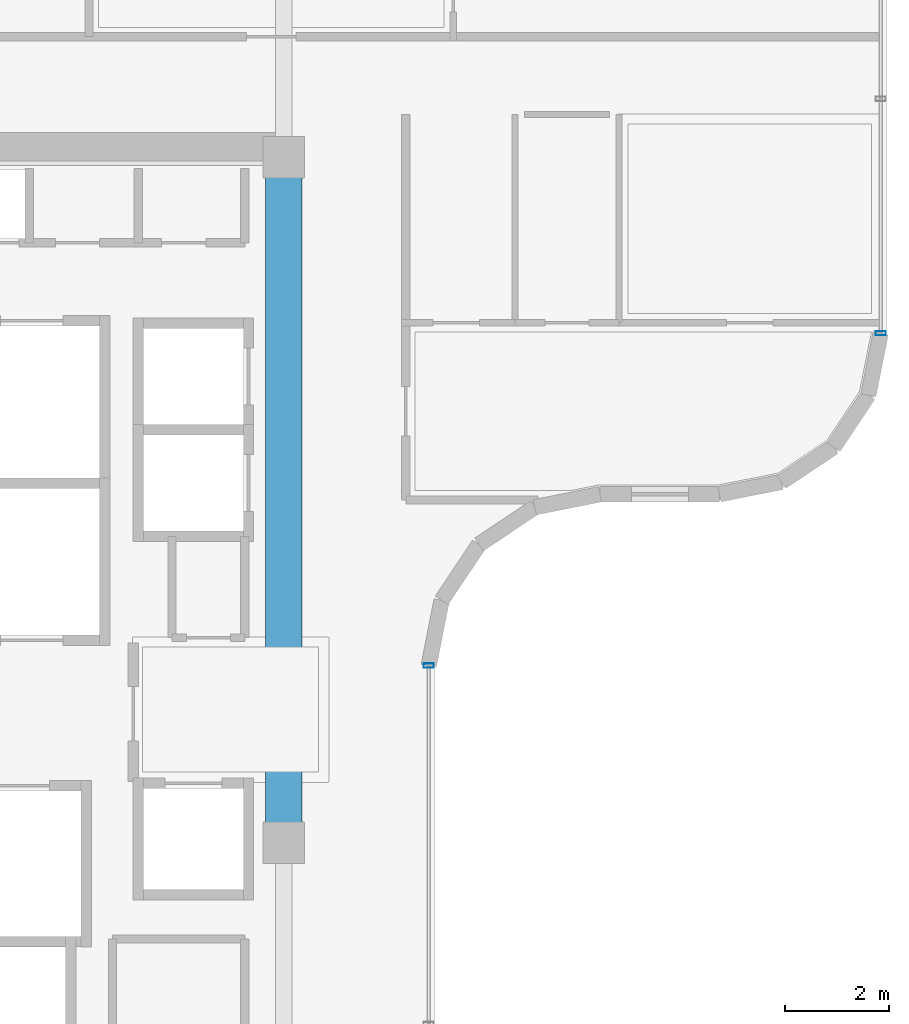
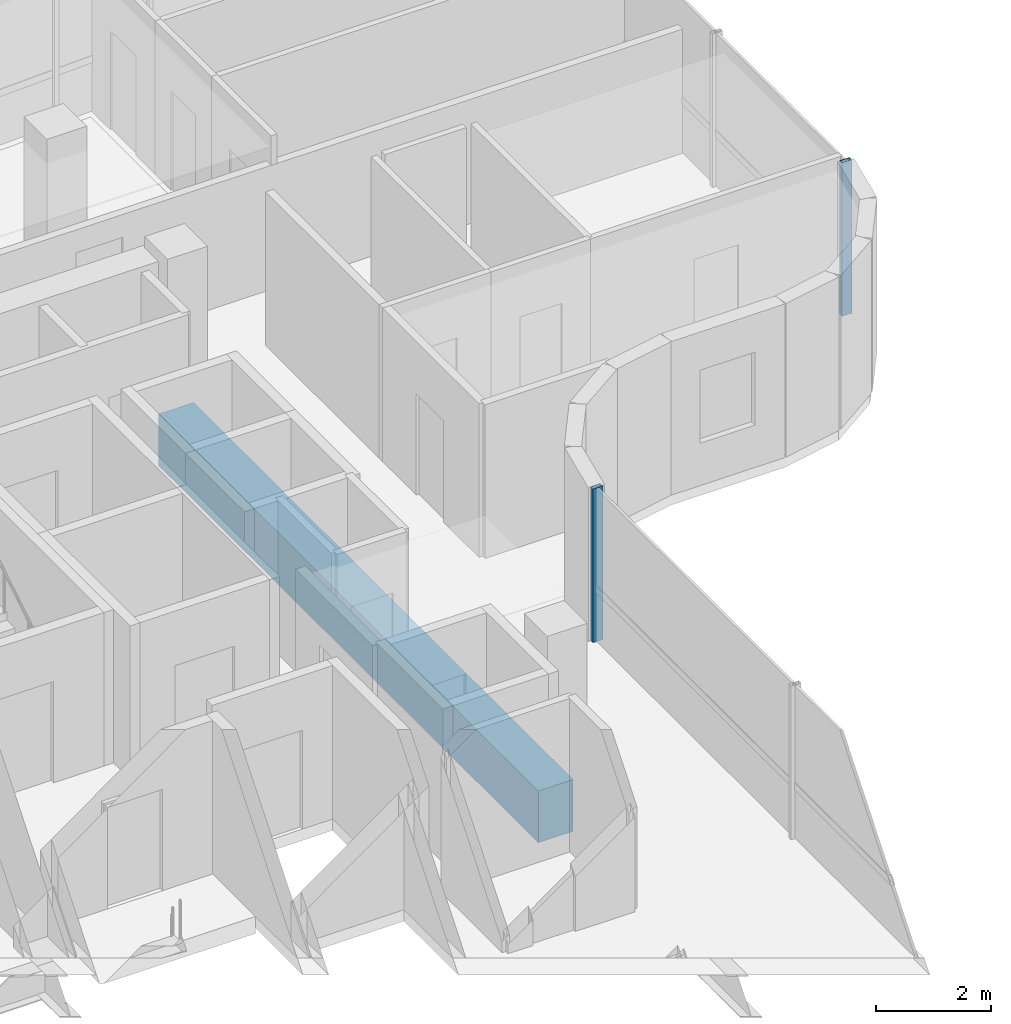
# One storey, part 8 of 19: 2 members, 1 beam, 2 elements without a shape of their own.
"""IFC4 building model written with IfcOpenShell, lengths in metres."""

from ifc_helpers import new_model, si_unit, direction, frame, origin, origin_2d, place, context, subcontext, project, spatial, rectangle, hollow_rectangle, extrude, source, transform, mapped, material, material_profile, profile_set, type_object, element, aggregate, save


model = new_model("IFC4")

# Units and contexts
model_context = context("Model", 3, precision=1e-05, world=origin(), true_north=direction((0.0, 1.0)))
body_context = subcontext(model_context, "Body", "Model", "MODEL_VIEW")
ifc_project = project(units=[si_unit("LENGTHUNIT", "METRE"), si_unit("AREAUNIT", "SQUARE_METRE"), si_unit("VOLUMEUNIT", "CUBIC_METRE"), si_unit("PLANEANGLEUNIT", "RADIAN"), si_unit("MASSUNIT", "GRAM", prefix="KILO")], contexts=[model_context])

# Site, building, storey
site_placement = place(None, origin())
site = spatial("IfcSite", under=ifc_project, at=site_placement, CompositionType="ELEMENT")
building_placement = place(site_placement, origin())
building = spatial("IfcBuilding", under=site, at=building_placement, Name="Valdorenza Pilgrim Sanctuary Tower", CompositionType="ELEMENT")
storey_placement = place(building_placement, frame((0.0, 0.0, 266.0)))
storey = spatial("IfcBuildingStorey", under=building, at=storey_placement, Name="L69", CompositionType="ELEMENT", Elevation=266.0)

# Beam
ifc_material_1 = material(Name="Concrete C50/60", Category="concrete")
ifc_material_profile_1 = material_profile(ifc_material_1, rectangle(XDim=0.699951171875, YDim=1.10009765625, at=origin_2d()), Name="RC 1100x700")
ifc_profile_set_1 = profile_set([ifc_material_profile_1], Name="Concrete C50/60")
beam_type = type_object("IfcBeamType", Name="STR-BM-LNT-1100", PredefinedType="LINTEL", material=ifc_profile_set_1)
shared_shape_1 = source(origin(), body_context, "Body", "SweptSolid", [
    extrude(rectangle(XDim=0.699951171875, YDim=1.10009765625, at=origin_2d()), origin(), (0.0, 0.0, 1.0), 13.2001953125),
])
beam_placement = place(storey_placement, frame((-12.39990234375, -2.60009765625, -0.590087890625), z_axis=(0.0, 1.0, 0.0), x_axis=(-1.0, 0.0, 0.0)))
element("IfcBeam", 1, at=beam_placement, inside=storey, type_object=beam_type, Name="L69 Core A Coupling Lintel Girder", PredefinedType="LINTEL", context=body_context, shape_type="MappedRepresentation", body=[
    mapped(shared_shape_1, transform((0.0, 0.0, 0.0), x_axis=(1.0, 0.0, 0.0), y_axis=(0.0, 1.0, 0.0), z_axis=(0.0, 0.0, 1.0), scale=1.0)),
])

# Curtain wall, member
ifc_material_2 = material(Name="Curtain-wall IGU glazing", Category="glass")
curtain_wall_type = type_object("IfcCurtainWallType", Name="CW-SYS-02", PredefinedType="NOTDEFINED", material=ifc_material_2)
curtain_wall_1_placement = place(storey_placement, origin())
curtain_wall_1 = element("IfcCurtainWall", 2, at=curtain_wall_1_placement, inside=storey, type_object=curtain_wall_type, Name="L69 Curtain Wall CW-L69-1-11", PredefinedType="NOTDEFINED")
ifc_material_3 = material(Name="Anodised aluminium AW-6060", Category="aluminium")
ifc_material_profile_2 = material_profile(ifc_material_3, hollow_rectangle(XDim=0.0849609375, YDim=0.199951171875, WallThickness=0.0048828125, at=origin_2d()), Name="ALU-M 200x85x5")
ifc_profile_set_2 = profile_set([ifc_material_profile_2], Name="Anodised aluminium AW-6060")
member_type = type_object("IfcMemberType", Name="CW-MUL-02", PredefinedType="MULLION", material=ifc_profile_set_2)
shared_shape_2 = source(origin(), body_context, "Body", "SweptSolid", [
    extrude(hollow_rectangle(XDim=0.0849609375, YDim=0.199951171875, WallThickness=0.0048828125, at=origin_2d()), origin(), (0.0, 0.0, 1.0), 3.260009765625),
])
member_1_placement = place(storey_placement, frame((-0.909912109375, 7.210693359375, 0.0), z_axis=(0.0, 0.0, 1.0), x_axis=(0.0, -1.0, 0.0)))
member_1 = element("IfcMember", 3, at=member_1_placement, type_object=member_type, Name="CW-L69-1-11 Mullion 3", PredefinedType="MULLION", context=body_context, shape_type="MappedRepresentation", body=[
    mapped(shared_shape_2, transform((0.0, 0.0, 0.0), x_axis=(1.0, 0.0, 0.0), y_axis=(0.0, 1.0, 0.0), z_axis=(0.0, 0.0, 1.0), scale=1.0)),
])
aggregate(curtain_wall_1, [member_1])

curtain_wall_2_placement = place(storey_placement, origin())
curtain_wall_2 = element("IfcCurtainWall", 4, at=curtain_wall_2_placement, inside=storey, type_object=curtain_wall_type, Name="L69 Curtain Wall CW-L69-1-21", PredefinedType="NOTDEFINED")
member_2_placement = place(storey_placement, frame((-9.610107421875, 0.810791015625, 0.0), z_axis=(0.0, 0.0, 1.0), x_axis=(0.0, -1.0, 0.0)))
member_2 = element("IfcMember", 5, at=member_2_placement, type_object=member_type, Name="CW-L69-1-21 Mullion 1", PredefinedType="MULLION", context=body_context, shape_type="MappedRepresentation", body=[
    mapped(shared_shape_2, transform((0.0, 0.0, 0.0), x_axis=(1.0, 0.0, 0.0), y_axis=(0.0, 1.0, 0.0), z_axis=(0.0, 0.0, 1.0), scale=1.0)),
])
aggregate(curtain_wall_2, [member_2])

save(model, "model.ifc")
